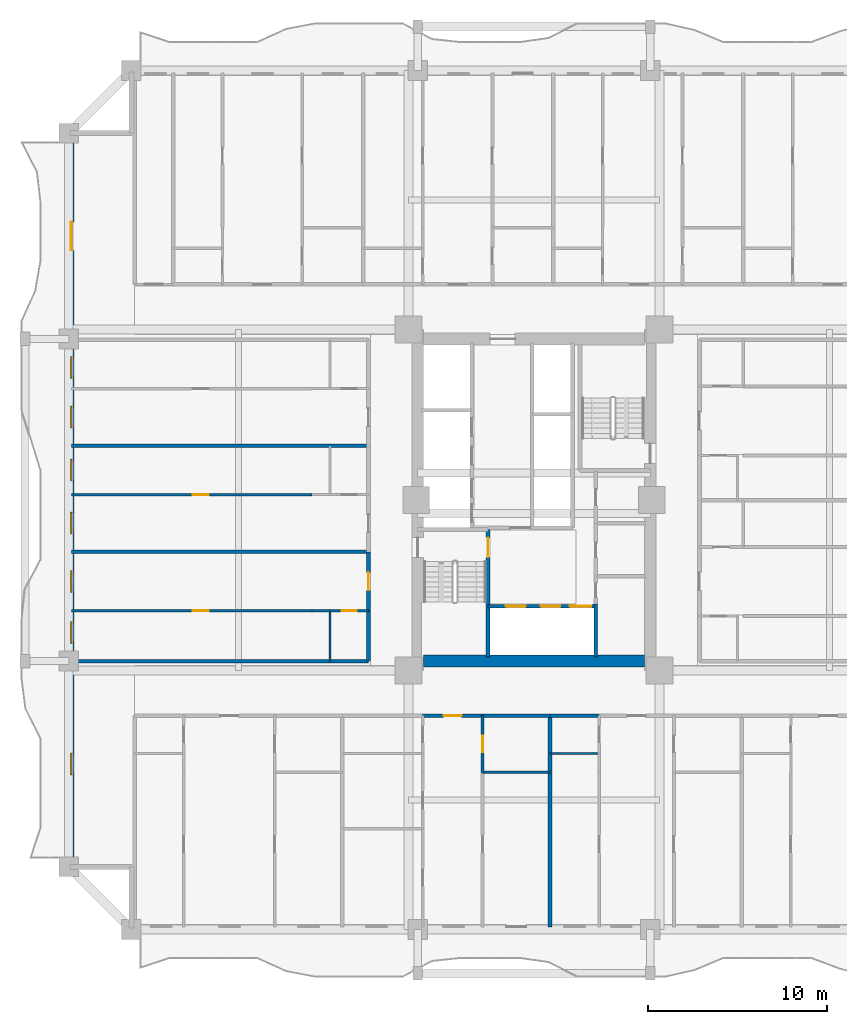
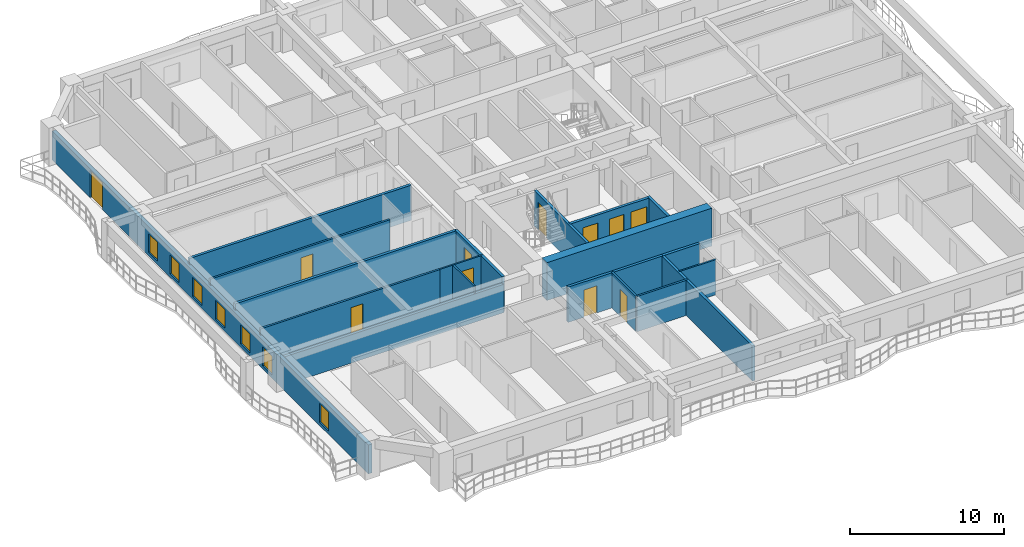
# One storey, part 3 of 16: 22 walls, 11 doors, 7 windows, 18 openings.
"""IFC4 building model written with IfcOpenShell, lengths in metres."""

from ifc_helpers import new_model, si_unit, direction, frame, frame_2d, origin, place, context, subcontext, project, spatial, rectangle, extrude, source, transform, mapped, material, layer, layer_set, type_object, element, fill, save


model = new_model("IFC4")

# Units and contexts
model_context = context("Model", 3, precision=1e-05, world=origin(), true_north=direction((0.0, 1.0)))
body_context = subcontext(model_context, "Body", "Model", "MODEL_VIEW")
ifc_project = project(units=[si_unit("LENGTHUNIT", "METRE"), si_unit("AREAUNIT", "SQUARE_METRE"), si_unit("VOLUMEUNIT", "CUBIC_METRE"), si_unit("PLANEANGLEUNIT", "RADIAN"), si_unit("MASSUNIT", "GRAM", prefix="KILO")], contexts=[model_context])

# Site, building, storey
site_placement = place(None, origin())
site = spatial("IfcSite", under=ifc_project, at=site_placement, CompositionType="ELEMENT")
building_placement = place(site_placement, origin())
building = spatial("IfcBuilding", under=site, at=building_placement, Name="Saelheon Loggia Tower", CompositionType="ELEMENT")
storey_placement = place(building_placement, frame((0.0, 0.0, 28.39990234375)))
storey = spatial("IfcBuildingStorey", under=building, at=storey_placement, Name="L08", CompositionType="ELEMENT", Elevation=28.39990234375)

# Wall
ifc_material_1 = material(Name="Concrete C60/75", Category="concrete")
ifc_layer_1 = layer(ifc_material_1, 0.64990234375)
ifc_layer_set_1 = layer_set([ifc_layer_1], Name="Concrete C60/75")
wall_type_1 = type_object("IfcWallType", Name="Wall_CoreShear_650", PredefinedType="SHEAR", material=ifc_layer_set_1)
wall_1_placement = place(storey_placement, frame((31.824951171875, 18.0, 0.0), z_axis=(0.0, 0.0, 1.0), x_axis=(1.0, 0.0, 0.0)))
element("IfcWall", 1, at=wall_1_placement, inside=storey, type_object=wall_type_1, Name="L08 Core Shear Wall South", PredefinedType="SHEAR", context=body_context, shape_type="SweptSolid", body=[
    extrude(rectangle(XDim=12.35009765625, YDim=0.64990234375, at=frame_2d((6.175048828125, 0.0))), origin(), (0.0, 0.0, 1.0), 3.0),
])

# Wall, openings, windows, door
ifc_material_2 = material(Name="Architectural Precast Concrete C40/50", Category="concrete")
ifc_layer_2 = layer(ifc_material_2, 0.280029296875)
ifc_layer_set_2 = layer_set([ifc_layer_2], Name="Architectural Precast Concrete C40/50")
wall_type_2 = type_object("IfcWallType", Name="Wall_Ext_Loggia_280", PredefinedType="SOLIDWALL", material=ifc_layer_set_2)
wall_2_placement = place(storey_placement, frame((12.139892578125, 6.5, 0.0), z_axis=(0.0, 0.0, 1.0), x_axis=(0.0, 1.0, 0.0)))
wall_2 = element("IfcWall", 2, at=wall_2_placement, inside=storey, type_object=wall_type_2, Name="L08 West Loggia Inner Wall", PredefinedType="SOLIDWALL", context=body_context, shape_type="SweptSolid", body=[
    extrude(rectangle(XDim=41.0, YDim=0.280029296875, at=frame_2d((20.5, 0.0))), origin(), (0.0, 0.0, 1.0), 2.280029296875),
])
opening_1_placement = place(wall_2_placement, frame((5.14990234375, 0.0, 0.25)))
opening_1 = element("IfcOpeningElement", 3, at=opening_1_placement, cuts=wall_2, Name="Opening WN-03", PredefinedType="OPENING", context=body_context, shape_type="SweptSolid", body=[
    extrude(rectangle(XDim=1.199951171875, YDim=1.5, at=frame_2d((0.60009765625, 0.75))), frame((0.0, 0.152099609375, 0.0), z_axis=(0.0, -1.0, 0.0), x_axis=(1.0, 0.0, 0.0)), (0.0, 0.0, 1.0), 0.303955078125),
])
opening_2_placement = place(wall_2_placement, frame((12.498779296875, 0.0, 0.25)))
opening_2 = element("IfcOpeningElement", 4, at=opening_2_placement, cuts=wall_2, Name="Opening WN-03", PredefinedType="OPENING", context=body_context, shape_type="SweptSolid", body=[
    extrude(rectangle(XDim=1.199951171875, YDim=1.5, at=frame_2d((0.60009765625, 0.75))), frame((0.0, 0.152099609375, 0.0), z_axis=(0.0, -1.0, 0.0), x_axis=(1.0, 0.0, 0.0)), (0.0, 0.0, 1.0), 0.303955078125),
])
opening_3_placement = place(wall_2_placement, frame((15.355224609375, 0.0, 0.25)))
opening_3 = element("IfcOpeningElement", 5, at=opening_3_placement, cuts=wall_2, Name="Opening WN-03", PredefinedType="OPENING", context=body_context, shape_type="SweptSolid", body=[
    extrude(rectangle(XDim=1.199951171875, YDim=1.5, at=frame_2d((0.60009765625, 0.75))), frame((0.0, 0.152099609375, 0.0), z_axis=(0.0, -1.0, 0.0), x_axis=(1.0, 0.0, 0.0)), (0.0, 0.0, 1.0), 0.303955078125),
])
opening_4_placement = place(wall_2_placement, frame((18.602294921875, 0.0, 0.25)))
opening_4 = element("IfcOpeningElement", 6, at=opening_4_placement, cuts=wall_2, Name="Opening WN-03", PredefinedType="OPENING", context=body_context, shape_type="SweptSolid", body=[
    extrude(rectangle(XDim=1.199951171875, YDim=1.5, at=frame_2d((0.60009765625, 0.75))), frame((0.0, 0.152099609375, 0.0), z_axis=(0.0, -1.0, 0.0), x_axis=(1.0, 0.0, 0.0)), (0.0, 0.0, 1.0), 0.303955078125),
])
opening_5_placement = place(wall_2_placement, frame((21.564208984375, 0.0, 0.25)))
opening_5 = element("IfcOpeningElement", 7, at=opening_5_placement, cuts=wall_2, Name="Opening WN-03", PredefinedType="OPENING", context=body_context, shape_type="SweptSolid", body=[
    extrude(rectangle(XDim=1.199951171875, YDim=1.5, at=frame_2d((0.60009765625, 0.75))), frame((0.0, 0.152099609375, 0.0), z_axis=(0.0, -1.0, 0.0), x_axis=(1.0, 0.0, 0.0)), (0.0, 0.0, 1.0), 0.303955078125),
])
opening_6_placement = place(wall_2_placement, frame((24.52587890625, 0.0, 0.25)))
opening_6 = element("IfcOpeningElement", 8, at=opening_6_placement, cuts=wall_2, Name="Opening WN-03", PredefinedType="OPENING", context=body_context, shape_type="SweptSolid", body=[
    extrude(rectangle(XDim=1.199951171875, YDim=1.5, at=frame_2d((0.60009765625, 0.75))), frame((0.0, 0.152099609375, 0.0), z_axis=(0.0, -1.0, 0.0), x_axis=(1.0, 0.0, 0.0)), (0.0, 0.0, 1.0), 0.303955078125),
])
opening_7_placement = place(wall_2_placement, frame((27.317626953125, 0.0, 0.25)))
opening_7 = element("IfcOpeningElement", 9, at=opening_7_placement, cuts=wall_2, Name="Opening WN-03", PredefinedType="OPENING", context=body_context, shape_type="SweptSolid", body=[
    extrude(rectangle(XDim=1.199951171875, YDim=1.5, at=frame_2d((0.60009765625, 0.75))), frame((0.0, 0.152099609375, 0.0), z_axis=(0.0, -1.0, 0.0), x_axis=(1.0, 0.0, 0.0)), (0.0, 0.0, 1.0), 0.303955078125),
])
opening_8_placement = place(wall_2_placement, frame((34.449951171875, 0.0, 0.0)))
opening_8 = element("IfcOpeningElement", 10, at=opening_8_placement, cuts=wall_2, Name="Opening DLG-1", PredefinedType="OPENING", context=body_context, shape_type="SweptSolid", body=[
    extrude(rectangle(XDim=1.60009765625, YDim=2.14990234375, at=frame_2d((0.800048828125, 1.074951171875))), frame((0.0, 0.152099609375, 0.0), z_axis=(0.0, -1.0, 0.0), x_axis=(1.0, 0.0, 0.0)), (0.0, 0.0, 1.0), 0.303955078125),
])
ifc_material_3 = material(Name="Thermal-Break Aluminium and Triple Low-E Glass", Category="aluminium")
window_type = type_object("IfcWindowType", Name="Win_Bedroom_1200x1500", PartitioningType="SINGLE_PANEL", PredefinedType="WINDOW", material=ifc_material_3)
shared_shape_1 = source(origin(), body_context, "Body", "SweptSolid", [
    extrude(rectangle(XDim=1.199951171875, YDim=1.5, at=frame_2d((0.60009765625, 0.75))), frame((0.0, 0.030029296875, 0.0), z_axis=(0.0, -1.0, 0.0), x_axis=(1.0, 0.0, 0.0)), (0.0, 0.0, 1.0), 0.06005859375),
])
window_1_placement = place(opening_1_placement, origin())
window_1 = element("IfcWindow", 11, at=window_1_placement, inside=storey, type_object=window_type, Name="L08 W Dwelling Window 1", OverallHeight=1.5, OverallWidth=1.199951171875, PartitioningType="SINGLE_PANEL", PredefinedType="WINDOW", context=body_context, shape_type="MappedRepresentation", body=[
    mapped(shared_shape_1, transform((0.0, 0.0, 0.0), scale=1.0)),
])
fill(opening_1, window_1)
window_2_placement = place(opening_2_placement, origin())
window_2 = element("IfcWindow", 12, at=window_2_placement, inside=storey, type_object=window_type, Name="L08 W Dwelling Window 2", OverallHeight=1.5, OverallWidth=1.199951171875, PartitioningType="SINGLE_PANEL", PredefinedType="WINDOW", context=body_context, shape_type="MappedRepresentation", body=[
    mapped(shared_shape_1, transform((0.0, 0.0, 0.0), scale=1.0)),
])
fill(opening_2, window_2)
window_3_placement = place(opening_3_placement, origin())
window_3 = element("IfcWindow", 13, at=window_3_placement, inside=storey, type_object=window_type, Name="L08 W Dwelling Window 3", OverallHeight=1.5, OverallWidth=1.199951171875, PartitioningType="SINGLE_PANEL", PredefinedType="WINDOW", context=body_context, shape_type="MappedRepresentation", body=[
    mapped(shared_shape_1, transform((0.0, 0.0, 0.0), scale=1.0)),
])
fill(opening_3, window_3)
window_4_placement = place(opening_4_placement, origin())
window_4 = element("IfcWindow", 14, at=window_4_placement, inside=storey, type_object=window_type, Name="L08 W Dwelling Window 4", OverallHeight=1.5, OverallWidth=1.199951171875, PartitioningType="SINGLE_PANEL", PredefinedType="WINDOW", context=body_context, shape_type="MappedRepresentation", body=[
    mapped(shared_shape_1, transform((0.0, 0.0, 0.0), scale=1.0)),
])
fill(opening_4, window_4)
window_5_placement = place(opening_5_placement, origin())
window_5 = element("IfcWindow", 15, at=window_5_placement, inside=storey, type_object=window_type, Name="L08 W Dwelling Window 5", OverallHeight=1.5, OverallWidth=1.199951171875, PartitioningType="SINGLE_PANEL", PredefinedType="WINDOW", context=body_context, shape_type="MappedRepresentation", body=[
    mapped(shared_shape_1, transform((0.0, 0.0, 0.0), scale=1.0)),
])
fill(opening_5, window_5)
window_6_placement = place(opening_6_placement, origin())
window_6 = element("IfcWindow", 16, at=window_6_placement, inside=storey, type_object=window_type, Name="L08 W Dwelling Window 6", OverallHeight=1.5, OverallWidth=1.199951171875, PartitioningType="SINGLE_PANEL", PredefinedType="WINDOW", context=body_context, shape_type="MappedRepresentation", body=[
    mapped(shared_shape_1, transform((0.0, 0.0, 0.0), scale=1.0)),
])
fill(opening_6, window_6)
window_7_placement = place(opening_7_placement, origin())
window_7 = element("IfcWindow", 17, at=window_7_placement, inside=storey, type_object=window_type, Name="L08 W Dwelling Window 7", OverallHeight=1.5, OverallWidth=1.199951171875, PartitioningType="SINGLE_PANEL", PredefinedType="WINDOW", context=body_context, shape_type="MappedRepresentation", body=[
    mapped(shared_shape_1, transform((0.0, 0.0, 0.0), scale=1.0)),
])
fill(opening_7, window_7)
ifc_material_4 = material(Name="Thermal-Break Aluminium Sliding Glazed Door", Category="aluminium")
door_type_1 = type_object("IfcDoorType", Name="Door_LoggiaSlide_1600", OperationType="SLIDING_TO_LEFT", PredefinedType="DOOR", material=ifc_material_4)
shared_shape_2 = source(origin(), body_context, "Body", "SweptSolid", [
    extrude(rectangle(XDim=1.60009765625, YDim=2.14990234375, at=frame_2d((0.800048828125, 1.074951171875))), frame((0.0, 0.02490234375, 0.0), z_axis=(0.0, -1.0, 0.0), x_axis=(1.0, 0.0, 0.0)), (0.0, 0.0, 1.0), 0.050048828125),
])
door_1_placement = place(opening_8_placement, origin())
door_1 = element("IfcDoor", 18, at=door_1_placement, inside=storey, type_object=door_type_1, Name="L08 W Loggia Access Door", OperationType="SLIDING_TO_LEFT", OverallHeight=2.14990234375, OverallWidth=1.60009765625, PredefinedType="DOOR", context=body_context, shape_type="MappedRepresentation", body=[
    mapped(shared_shape_2, transform((0.0, 0.0, 0.0), scale=1.0)),
])
fill(opening_8, door_1)

# Wall
ifc_material_5 = material(Name="Lightweight Autoclaved Aerated Concrete Block and Acoustic Gypsum", Category="concrete")
ifc_layer_3 = layer(ifc_material_5, 0.14990234375)
ifc_layer_set_3 = layer_set([ifc_layer_3], Name="Lightweight Autoclaved Aerated Concrete Block and Acoustic Gypsum")
wall_type_3 = type_object("IfcWallType", Name="Wall_Part_150", PredefinedType="PARTITIONING", material=ifc_layer_set_3)
wall_3_placement = place(storey_placement, frame((35.126953125, 11.780029296875, 0.0), z_axis=(0.0, 0.0, 1.0), x_axis=(1.0, 0.0, 0.0)))
element("IfcWall", 19, at=wall_3_placement, inside=storey, type_object=wall_type_3, Name="L08 S Partition V18", PredefinedType="PARTITIONING", context=body_context, shape_type="SweptSolid", body=[
    extrude(rectangle(XDim=3.765869140625, YDim=0.14990234375, at=frame_2d((1.8828125, 0.0))), origin(), (0.0, 0.0, 1.0), 2.7900390625),
])

# Wall, opening, door
wall_4_placement = place(storey_placement, frame((35.126953125, 14.949951171875, 0.0), z_axis=(0.0, 0.0, 1.0), x_axis=(0.0, -1.0, 0.0)))
wall_4 = element("IfcWall", 20, at=wall_4_placement, inside=storey, type_object=wall_type_3, Name="L08 S Partition U24", PredefinedType="PARTITIONING", context=body_context, shape_type="SweptSolid", body=[
    extrude(rectangle(XDim=3.169921875, YDim=0.14990234375, at=frame_2d((1.5849609375, 0.0))), origin(), (0.0, 0.0, 1.0), 2.7900390625),
])
opening_9_placement = place(wall_4_placement, frame((1.135009765625, 0.0, 0.0)))
opening_9 = element("IfcOpeningElement", 21, at=opening_9_placement, cuts=wall_4, Name="Opening D-IN2", PredefinedType="OPENING", context=body_context, shape_type="SweptSolid", body=[
    extrude(rectangle(XDim=0.89990234375, YDim=2.10009765625, at=frame_2d((0.449951171875, 1.050048828125))), frame((0.0, 0.0869140625, 0.0), z_axis=(0.0, -1.0, 0.0), x_axis=(1.0, 0.0, 0.0)), (0.0, 0.0, 1.0), 0.173828125),
])
ifc_material_6 = material(Name="Engineered Oak Flush Door", Category="timber")
door_type_2 = type_object("IfcDoorType", Name="Door_Int_900", OperationType="NOTDEFINED", PredefinedType="DOOR", material=ifc_material_6)
shared_shape_3 = source(origin(), body_context, "Body", "SweptSolid", [
    extrude(rectangle(XDim=0.89990234375, YDim=2.10009765625, at=frame_2d((0.449951171875, 1.050048828125))), frame((0.0, 0.02490234375, 0.0), z_axis=(0.0, -1.0, 0.0), x_axis=(1.0, 0.0, 0.0)), (0.0, 0.0, 1.0), 0.050048828125),
])
door_2_placement = place(opening_9_placement, origin())
door_2 = element("IfcDoor", 22, at=door_2_placement, inside=storey, type_object=door_type_2, Name="Unit U02 Home Office Door", OperationType="SINGLE_SWING_RIGHT", OverallHeight=2.10009765625, OverallWidth=0.89990234375, PredefinedType="DOOR", context=body_context, shape_type="MappedRepresentation", body=[
    mapped(shared_shape_3, transform((0.0, 0.0, 0.0), scale=1.0)),
])
fill(opening_9, door_2)

wall_5_placement = place(storey_placement, frame((25.580078125, 20.807373046875, 0.0), z_axis=(0.0, 0.0, 1.0), x_axis=(-1.0, 0.0, 0.0)))
wall_5 = element("IfcWall", 23, at=wall_5_placement, inside=storey, type_object=wall_type_3, Name="L08 W Partition U08", PredefinedType="PARTITIONING", context=body_context, shape_type="SweptSolid", body=[
    extrude(rectangle(XDim=13.43017578125, YDim=0.14990234375, at=frame_2d((6.715087890625, 0.0))), origin(), (0.0, 0.0, 1.0), 2.7900390625),
])
opening_10_placement = place(wall_5_placement, frame((5.762939453125, 0.0, 0.0)))
opening_10 = element("IfcOpeningElement", 24, at=opening_10_placement, cuts=wall_5, Name="Opening D-IN2", PredefinedType="OPENING", context=body_context, shape_type="SweptSolid", body=[
    extrude(rectangle(XDim=0.89990234375, YDim=2.10009765625, at=frame_2d((0.449951171875, 1.050048828125))), frame((0.0, 0.0869140625, 0.0), z_axis=(0.0, -1.0, 0.0), x_axis=(1.0, 0.0, 0.0)), (0.0, 0.0, 1.0), 0.173828125),
])
door_3_placement = place(opening_10_placement, origin())
door_3 = element("IfcDoor", 25, at=door_3_placement, inside=storey, type_object=door_type_2, Name="Unit U09 Kitchen Door", OperationType="SINGLE_SWING_LEFT", OverallHeight=2.10009765625, OverallWidth=0.89990234375, PredefinedType="DOOR", context=body_context, shape_type="MappedRepresentation", body=[
    mapped(shared_shape_3, transform((0.0, 0.0, 0.0), scale=1.0)),
])
fill(opening_10, door_3)

wall_6_placement = place(storey_placement, frame((25.580078125, 27.3017578125, 0.0), z_axis=(0.0, 0.0, 1.0), x_axis=(-1.0, 0.0, 0.0)))
wall_6 = element("IfcWall", 26, at=wall_6_placement, inside=storey, type_object=wall_type_3, Name="L08 W Partition U15", PredefinedType="PARTITIONING", context=body_context, shape_type="SweptSolid", body=[
    extrude(rectangle(XDim=13.43017578125, YDim=0.14990234375, at=frame_2d((6.715087890625, 0.0))), origin(), (0.0, 0.0, 1.0), 2.7900390625),
])
opening_11_placement = place(wall_6_placement, frame((5.762939453125, 0.0, 0.0)))
opening_11 = element("IfcOpeningElement", 27, at=opening_11_placement, cuts=wall_6, Name="Opening D-IN2", PredefinedType="OPENING", context=body_context, shape_type="SweptSolid", body=[
    extrude(rectangle(XDim=0.89990234375, YDim=2.10009765625, at=frame_2d((0.449951171875, 1.050048828125))), frame((0.0, 0.0869140625, 0.0), z_axis=(0.0, -1.0, 0.0), x_axis=(1.0, 0.0, 0.0)), (0.0, 0.0, 1.0), 0.173828125),
])
door_4_placement = place(opening_11_placement, origin())
door_4 = element("IfcDoor", 28, at=door_4_placement, inside=storey, type_object=door_type_2, Name="Unit U10 Kitchen Door", OperationType="SINGLE_SWING_RIGHT", OverallHeight=2.10009765625, OverallWidth=0.89990234375, PredefinedType="DOOR", context=body_context, shape_type="MappedRepresentation", body=[
    mapped(shared_shape_3, transform((0.0, 0.0, 0.0), scale=1.0)),
])
fill(opening_11, door_4)

ifc_material_7 = material(Name="Double Acoustic Stud and Fireboard Partition", Category="gypsum")
ifc_layer_4 = layer(ifc_material_7, 0.199951171875)
ifc_layer_set_4 = layer_set([ifc_layer_4], Name="Double Acoustic Stud and Fireboard Partition")
wall_type_4 = type_object("IfcWallType", Name="Wall_Party_200", PredefinedType="PARTITIONING", material=ifc_layer_set_4)
wall_7_placement = place(storey_placement, frame((31.780029296875, 14.949951171875, 0.0), z_axis=(0.0, 0.0, 1.0), x_axis=(1.0, 0.0, 0.0)))
wall_7 = element("IfcWall", 29, at=wall_7_placement, inside=storey, type_object=wall_type_4, Name="L08 S Partition V15", PredefinedType="PARTITIONING", context=body_context, shape_type="SweptSolid", body=[
    extrude(rectangle(XDim=3.346923828125, YDim=0.199951171875, at=frame_2d((1.67333984375, 0.0))), origin(), (0.0, 0.0, 1.0), 2.7900390625),
])
opening_12_placement = place(wall_7_placement, frame((1.17333984375, 0.0, 0.0)))
opening_12 = element("IfcOpeningElement", 30, at=opening_12_placement, cuts=wall_7, Name="Opening D-FD1", PredefinedType="OPENING", context=body_context, shape_type="SweptSolid", body=[
    extrude(rectangle(XDim=1.0, YDim=2.14990234375, at=frame_2d((0.5, 1.074951171875))), frame((0.0, 0.112060546875, 0.0), z_axis=(0.0, -1.0, 0.0), x_axis=(1.0, 0.0, 0.0)), (0.0, 0.0, 1.0), 0.223876953125),
])
ifc_material_8 = material(Name="Fire-Rated Engineered Timber Entrance Door", Category="wood")
door_type_3 = type_object("IfcDoorType", Name="Door_Flat_FD30S", OperationType="NOTDEFINED", PredefinedType="DOOR", material=ifc_material_8)
shared_shape_4 = source(origin(), body_context, "Body", "SweptSolid", [
    extrude(rectangle(XDim=1.0, YDim=2.14990234375, at=frame_2d((0.5, 1.074951171875))), frame((0.0, 0.02490234375, 0.0), z_axis=(0.0, -1.0, 0.0), x_axis=(1.0, 0.0, 0.0)), (0.0, 0.0, 1.0), 0.050048828125),
])
door_5_placement = place(opening_12_placement, origin())
door_5 = element("IfcDoor", 31, at=door_5_placement, inside=storey, type_object=door_type_3, Name="Unit U02 Entrance Door", OperationType="SINGLE_SWING_RIGHT", OverallHeight=2.14990234375, OverallWidth=1.0, PredefinedType="DOOR", context=body_context, shape_type="MappedRepresentation", body=[
    mapped(shared_shape_4, transform((0.0, 0.0, 0.0), scale=1.0)),
])
fill(opening_12, door_5)

# Walls
wall_8_placement = place(storey_placement, frame((35.126953125, 14.949951171875, 0.0), z_axis=(0.0, 0.0, 1.0), x_axis=(1.0, 0.0, 0.0)))
element("IfcWall", 32, at=wall_8_placement, inside=storey, type_object=wall_type_4, Name="L08 S Partition V16", PredefinedType="PARTITIONING", context=body_context, shape_type="SweptSolid", body=[
    extrude(rectangle(XDim=3.765869140625, YDim=0.199951171875, at=frame_2d((1.8828125, 0.0))), origin(), (0.0, 0.0, 1.0), 2.7900390625),
])
wall_9_placement = place(storey_placement, frame((38.892822265625, 14.949951171875, 0.0), z_axis=(0.0, 0.0, 1.0), x_axis=(0.0, -1.0, 0.0)))
element("IfcWall", 33, at=wall_9_placement, inside=storey, type_object=wall_type_4, Name="L08 S Partition U26", PredefinedType="PARTITIONING", context=body_context, shape_type="SweptSolid", body=[
    extrude(rectangle(XDim=11.800048828125, YDim=0.199951171875, at=frame_2d((5.89990234375, 0.0))), origin(), (0.0, 0.0, 1.0), 2.7900390625),
])
wall_10_placement = place(storey_placement, frame((38.892822265625, 14.949951171875, 0.0), z_axis=(0.0, 0.0, 1.0), x_axis=(1.0, 0.0, 0.0)))
element("IfcWall", 34, at=wall_10_placement, inside=storey, type_object=wall_type_4, Name="L08 S Partition V27", PredefinedType="PARTITIONING", context=body_context, shape_type="SweptSolid", body=[
    extrude(rectangle(XDim=2.75, YDim=0.199951171875, at=frame_2d((1.375, 0.0))), origin(), (0.0, 0.0, 1.0), 2.7900390625),
])
wall_11_placement = place(storey_placement, frame((28.75, 18.0, 0.0), z_axis=(0.0, 0.0, 1.0), x_axis=(-1.0, 0.0, 0.0)))
element("IfcWall", 35, at=wall_11_placement, inside=storey, type_object=wall_type_4, Name="L08 W Partition U01", PredefinedType="PARTITIONING", context=body_context, shape_type="SweptSolid", body=[
    extrude(rectangle(XDim=16.60009765625, YDim=0.199951171875, at=frame_2d((8.300048828125, 0.0))), origin(), (0.0, 0.0, 1.0), 2.239990234375),
])
wall_12_placement = place(storey_placement, frame((28.75, 18.0, 0.0), z_axis=(0.0, 0.0, 1.0), x_axis=(0.0, 1.0, 0.0)))
element("IfcWall", 36, at=wall_12_placement, inside=storey, type_object=wall_type_4, Name="L08 W Partition V03", PredefinedType="PARTITIONING", context=body_context, shape_type="SweptSolid", body=[
    extrude(rectangle(XDim=2.807373046875, YDim=0.199951171875, at=frame_2d((1.40380859375, 0.0))), origin(), (0.0, 0.0, 1.0), 2.7900390625),
])

# Wall, opening, door
wall_13_placement = place(storey_placement, frame((28.75, 20.807373046875, 0.0), z_axis=(0.0, 0.0, 1.0), x_axis=(0.0, 1.0, 0.0)))
wall_13 = element("IfcWall", 37, at=wall_13_placement, inside=storey, type_object=wall_type_4, Name="L08 W Partition V04", PredefinedType="PARTITIONING", context=body_context, shape_type="SweptSolid", body=[
    extrude(rectangle(XDim=3.295654296875, YDim=0.199951171875, at=frame_2d((1.64794921875, 0.0))), origin(), (0.0, 0.0, 1.0), 2.7900390625),
])
opening_13_placement = place(wall_13_placement, frame((1.147705078125, 0.0, 0.0)))
opening_13 = element("IfcOpeningElement", 38, at=opening_13_placement, cuts=wall_13, Name="Opening D-FD1", PredefinedType="OPENING", context=body_context, shape_type="SweptSolid", body=[
    extrude(rectangle(XDim=1.0, YDim=2.14990234375, at=frame_2d((0.5, 1.074951171875))), frame((0.0, 0.112060546875, 0.0), z_axis=(0.0, -1.0, 0.0), x_axis=(1.0, 0.0, 0.0)), (0.0, 0.0, 1.0), 0.223876953125),
])
door_6_placement = place(opening_13_placement, origin())
door_6 = element("IfcDoor", 39, at=door_6_placement, inside=storey, type_object=door_type_3, Name="Unit U09 Entrance Door", OperationType="SINGLE_SWING_LEFT", OverallHeight=2.14990234375, OverallWidth=1.0, PredefinedType="DOOR", context=body_context, shape_type="MappedRepresentation", body=[
    mapped(shared_shape_4, transform((0.0, 0.0, 0.0), scale=1.0)),
])
fill(opening_13, door_6)

# Walls
for number, where, z_axis, x_axis, name in (
    (40, (28.75, 24.10302734375, 0.0), (0.0, 0.0, 1.0), (-1.0, 0.0, 0.0), "L08 W Partition U09"),
    (41, (28.75, 30.026611328125, 0.0), (0.0, 0.0, 1.0), (-1.0, 0.0, 0.0), "L08 W Partition U16"),
):
    element("IfcWall", number, at=place(storey_placement, frame(where, z_axis=z_axis, x_axis=x_axis)), inside=storey, type_object=wall_type_4, Name=name, PredefinedType="PARTITIONING", context=body_context, shape_type="SweptSolid", body=[
        extrude(rectangle(XDim=16.60009765625, YDim=0.199951171875, at=frame_2d((8.300048828125, 0.0))), origin(), (0.0, 0.0, 1.0), 2.7900390625),
    ])
ifc_material_9 = material(Name="Concrete C40/50", Category="concrete")
ifc_layer_5 = layer(ifc_material_9, 0.199951171875)
ifc_layer_set_5 = layer_set([ifc_layer_5], Name="Concrete C40/50")
wall_type_5 = type_object("IfcWallType", Name="Wall_Shaft_200", PredefinedType="PARTITIONING", material=ifc_layer_set_5)
wall_14_placement = place(storey_placement, frame((41.449951171875, 18.219970703125, 0.0), z_axis=(0.0, 0.0, 1.0), x_axis=(0.0, 1.0, 0.0)))
element("IfcWall", 42, at=wall_14_placement, inside=storey, type_object=wall_type_5, Name="CW-INT-L08-BOH-W0", PredefinedType="PARTITIONING", context=body_context, shape_type="SweptSolid", body=[
    extrude(rectangle(XDim=2.9599609375, YDim=0.199951171875, at=frame_2d((1.47998046875, 0.0))), origin(), (0.0, 0.0, 1.0), 2.7900390625),
])

# Wall, openings, doors
wall_15_placement = place(storey_placement, frame((35.429931640625, 21.06005859375, 0.0), z_axis=(0.0, 0.0, 1.0), x_axis=(1.0, 0.0, 0.0)))
wall_15 = element("IfcWall", 43, at=wall_15_placement, inside=storey, type_object=wall_type_5, Name="L08 Firefighting Lift Shaft Front Wall", PredefinedType="PARTITIONING", context=body_context, shape_type="SweptSolid", body=[
    extrude(rectangle(XDim=6.02001953125, YDim=0.199951171875, at=frame_2d((3.010009765625, 0.0))), origin(), (0.0, 0.0, 1.0), 2.7900390625),
])
opening_14_placement = place(wall_15_placement, frame((1.0, 0.0, 0.0)))
opening_14 = element("IfcOpeningElement", 44, at=opening_14_placement, cuts=wall_15, Name="Opening LD2", PredefinedType="OPENING", context=body_context, shape_type="SweptSolid", body=[
    extrude(rectangle(XDim=1.10009765625, YDim=2.14990234375, at=frame_2d((0.550048828125, 1.074951171875))), frame((0.0, 0.112060546875, 0.0), z_axis=(0.0, -1.0, 0.0), x_axis=(1.0, 0.0, 0.0)), (0.0, 0.0, 1.0), 0.223876953125),
])
opening_15_placement = place(wall_15_placement, frame((2.949951171875, 0.0, 0.0)))
opening_15 = element("IfcOpeningElement", 45, at=opening_15_placement, cuts=wall_15, Name="Opening LD2", PredefinedType="OPENING", context=body_context, shape_type="SweptSolid", body=[
    extrude(rectangle(XDim=1.10009765625, YDim=2.14990234375, at=frame_2d((0.550048828125, 1.074951171875))), frame((0.0, 0.112060546875, 0.0), z_axis=(0.0, -1.0, 0.0), x_axis=(1.0, 0.0, 0.0)), (0.0, 0.0, 1.0), 0.223876953125),
])
opening_16_placement = place(wall_15_placement, frame((4.580078125, 0.0, 0.0)))
opening_16 = element("IfcOpeningElement", 46, at=opening_16_placement, cuts=wall_15, Name="Opening LD3", PredefinedType="OPENING", context=body_context, shape_type="SweptSolid", body=[
    extrude(rectangle(XDim=1.199951171875, YDim=2.14990234375, at=frame_2d((0.60009765625, 1.074951171875))), frame((0.0, 0.112060546875, 0.0), z_axis=(0.0, -1.0, 0.0), x_axis=(1.0, 0.0, 0.0)), (0.0, 0.0, 1.0), 0.223876953125),
])
ifc_material_10 = material(Name="Firefighting Stainless Steel 316 Landing Door", Category="steel")
door_type_4 = type_object("IfcDoorType", Name="Door_Lift_LD2", OperationType="DOUBLE_DOOR_SLIDING", PredefinedType="DOOR", material=ifc_material_10)
shared_shape_5 = source(origin(), body_context, "Body", "SweptSolid", [
    extrude(rectangle(XDim=1.10009765625, YDim=2.14990234375, at=frame_2d((0.550048828125, 1.074951171875))), frame((0.0, 0.02490234375, 0.0), z_axis=(0.0, -1.0, 0.0), x_axis=(1.0, 0.0, 0.0)), (0.0, 0.0, 1.0), 0.050048828125),
])
door_7_placement = place(opening_14_placement, origin())
door_7 = element("IfcDoor", 47, at=door_7_placement, inside=storey, type_object=door_type_4, Name="L08 FF1 Landing Door", OperationType="DOUBLE_DOOR_SLIDING", OverallHeight=2.14990234375, OverallWidth=1.10009765625, PredefinedType="DOOR", context=body_context, shape_type="MappedRepresentation", body=[
    mapped(shared_shape_5, transform((0.0, 0.0, 0.0), scale=1.0)),
])
fill(opening_14, door_7)
door_8_placement = place(opening_15_placement, origin())
door_8 = element("IfcDoor", 48, at=door_8_placement, inside=storey, type_object=door_type_4, Name="L08 FF2 Landing Door", OperationType="DOUBLE_DOOR_SLIDING", OverallHeight=2.14990234375, OverallWidth=1.10009765625, PredefinedType="DOOR", context=body_context, shape_type="MappedRepresentation", body=[
    mapped(shared_shape_5, transform((0.0, 0.0, 0.0), scale=1.0)),
])
fill(opening_15, door_8)
ifc_material_11 = material(Name="Stretcher Lift Stainless Steel 304 Landing Door", Category="steel")
door_type_5 = type_object("IfcDoorType", Name="Door_Lift_LD3", OperationType="DOUBLE_DOOR_SLIDING", PredefinedType="DOOR", material=ifc_material_11)
shared_shape_6 = source(origin(), body_context, "Body", "SweptSolid", [
    extrude(rectangle(XDim=1.199951171875, YDim=2.14990234375, at=frame_2d((0.60009765625, 1.074951171875))), frame((0.0, 0.02490234375, 0.0), z_axis=(0.0, -1.0, 0.0), x_axis=(1.0, 0.0, 0.0)), (0.0, 0.0, 1.0), 0.050048828125),
])
door_9_placement = place(opening_16_placement, origin())
door_9 = element("IfcDoor", 49, at=door_9_placement, inside=storey, type_object=door_type_5, Name="L08 SV1 Landing Door", OperationType="DOUBLE_DOOR_SLIDING", OverallHeight=2.14990234375, OverallWidth=1.199951171875, PredefinedType="DOOR", context=body_context, shape_type="MappedRepresentation", body=[
    mapped(shared_shape_6, transform((0.0, 0.0, 0.0), scale=1.0)),
])
fill(opening_16, door_9)

# Wall, opening, door
ifc_material_12 = material(Name="Concrete C45/55", Category="concrete")
ifc_layer_6 = layer(ifc_material_12, 0.199951171875)
ifc_layer_set_6 = layer_set([ifc_layer_6], Name="Concrete C45/55")
wall_type_6 = type_object("IfcWallType", Name="Wall_StairShaft_RC200", PredefinedType="SOLIDWALL", material=ifc_layer_set_6)
wall_16_placement = place(storey_placement, frame((35.429931640625, 18.219970703125, 0.0), z_axis=(0.0, 0.0, 1.0), x_axis=(0.0, 1.0, 0.0)))
wall_16 = element("IfcWall", 50, at=wall_16_placement, inside=storey, type_object=wall_type_6, Name="L08 Stair ST1 Shaft Wall", PredefinedType="SOLIDWALL", context=body_context, shape_type="SweptSolid", body=[
    extrude(rectangle(XDim=7.219970703125, YDim=0.199951171875, at=frame_2d((3.60986328125, 0.0))), origin(), (0.0, 0.0, 1.0), 2.7900390625),
])
opening_17_placement = place(wall_16_placement, frame((6.68017578125, 0.0, 0.0), z_axis=(0.0, 0.0, 1.0), x_axis=(-1.0, 0.0, 0.0)))
opening_17 = element("IfcOpeningElement", 51, at=opening_17_placement, cuts=wall_16, Name="Opening D-FD2", PredefinedType="OPENING", context=body_context, shape_type="SweptSolid", body=[
    extrude(rectangle(XDim=1.10009765625, YDim=2.14990234375, at=frame_2d((0.550048828125, 1.074951171875))), frame((0.0, 0.112060546875, 0.0), z_axis=(0.0, -1.0, 0.0), x_axis=(1.0, 0.0, 0.0)), (0.0, 0.0, 1.0), 0.223876953125),
])
ifc_material_13 = material(Name="Galvanised Steel Fire Door", Category="steel")
door_type_6 = type_object("IfcDoorType", Name="Door_Fire_FD60_1100", OperationType="NOTDEFINED", PredefinedType="DOOR", material=ifc_material_13)
door_10_placement = place(opening_17_placement, origin())
door_10 = element("IfcDoor", 52, at=door_10_placement, inside=storey, type_object=door_type_6, Name="L08 Stair ST1 Lobby Door", OperationType="SINGLE_SWING_RIGHT", OverallHeight=2.14990234375, OverallWidth=1.10009765625, PredefinedType="DOOR", context=body_context, shape_type="MappedRepresentation", body=[
    mapped(shared_shape_5, transform((0.0, 0.0, 0.0), scale=1.0)),
])
fill(opening_17, door_10)

# Wall
ifc_material_14 = material(Name="Moisture-Resistant Cement Board Partition", Category="gypsum")
ifc_layer_7 = layer(ifc_material_14, 0.1201171875)
ifc_layer_set_7 = layer_set([ifc_layer_7], Name="Moisture-Resistant Cement Board Partition")
wall_type_7 = type_object("IfcWallType", Name="Wall_WetPart_120", PredefinedType="PARTITIONING", material=ifc_layer_set_7)
wall_17_placement = place(storey_placement, frame((38.892822265625, 12.830078125, 0.0), z_axis=(0.0, 0.0, 1.0), x_axis=(1.0, 0.0, 0.0)))
element("IfcWall", 53, at=wall_17_placement, inside=storey, type_object=wall_type_7, Name="L08 S Partition V30", PredefinedType="PARTITIONING", context=body_context, shape_type="SweptSolid", body=[
    extrude(rectangle(XDim=2.75, YDim=0.1201171875, at=frame_2d((1.375, 0.0))), origin(), (0.0, 0.0, 1.0), 2.7900390625),
])

# Wall, opening, door
wall_18_placement = place(storey_placement, frame((28.75, 20.807373046875, 0.0), z_axis=(0.0, 0.0, 1.0), x_axis=(-1.0, 0.0, 0.0)))
wall_18 = element("IfcWall", 54, at=wall_18_placement, inside=storey, type_object=wall_type_7, Name="L08 W Partition U05", PredefinedType="PARTITIONING", context=body_context, shape_type="SweptSolid", body=[
    extrude(rectangle(XDim=2.14990234375, YDim=0.1201171875, at=frame_2d((1.074951171875, 0.0))), origin(), (0.0, 0.0, 1.0), 2.7900390625),
])
opening_18_placement = place(wall_18_placement, frame((0.64990234375, 0.0, 0.0)))
opening_18 = element("IfcOpeningElement", 55, at=opening_18_placement, cuts=wall_18, Name="Opening D-BT1", PredefinedType="OPENING", context=body_context, shape_type="SweptSolid", body=[
    extrude(rectangle(XDim=0.85009765625, YDim=2.050048828125, at=frame_2d((0.425048828125, 1.02490234375))), frame((0.0, 0.072021484375, 0.0), z_axis=(0.0, -1.0, 0.0), x_axis=(1.0, 0.0, 0.0)), (0.0, 0.0, 1.0), 0.14404296875),
])
ifc_material_15 = material(Name="Moisture-Resistant Laminate Timber Door", Category="wood")
door_type_7 = type_object("IfcDoorType", Name="Door_Bath_850", OperationType="NOTDEFINED", PredefinedType="DOOR", material=ifc_material_15)
shared_shape_7 = source(origin(), body_context, "Body", "SweptSolid", [
    extrude(rectangle(XDim=0.85009765625, YDim=2.050048828125, at=frame_2d((0.425048828125, 1.02490234375))), frame((0.0, 0.02490234375, 0.0), z_axis=(0.0, -1.0, 0.0), x_axis=(1.0, 0.0, 0.0)), (0.0, 0.0, 1.0), 0.050048828125),
])
door_11_placement = place(opening_18_placement, origin())
door_11 = element("IfcDoor", 56, at=door_11_placement, inside=storey, type_object=door_type_7, Name="Unit U09 Bathroom Door", OperationType="SINGLE_SWING_RIGHT", OverallHeight=2.050048828125, OverallWidth=0.85009765625, PredefinedType="DOOR", context=body_context, shape_type="MappedRepresentation", body=[
    mapped(shared_shape_7, transform((0.0, 0.0, 0.0), scale=1.0)),
])
fill(opening_18, door_11)

# Walls
wall_19_placement = place(storey_placement, frame((26.60009765625, 20.807373046875, 0.0), z_axis=(0.0, 0.0, 1.0), x_axis=(-1.0, 0.0, 0.0)))
element("IfcWall", 57, at=wall_19_placement, inside=storey, type_object=wall_type_7, Name="L08 W Partition U06", PredefinedType="PARTITIONING", context=body_context, shape_type="SweptSolid", body=[
    extrude(rectangle(XDim=1.02001953125, YDim=0.1201171875, at=frame_2d((0.510009765625, 0.0))), origin(), (0.0, 0.0, 1.0), 2.7900390625),
])
wall_20_placement = place(storey_placement, frame((26.60009765625, 18.0, 0.0), z_axis=(0.0, 0.0, 1.0), x_axis=(0.0, 1.0, 0.0)))
element("IfcWall", 58, at=wall_20_placement, inside=storey, type_object=wall_type_7, Name="L08 W Partition V07", PredefinedType="PARTITIONING", context=body_context, shape_type="SweptSolid", body=[
    extrude(rectangle(XDim=2.807373046875, YDim=0.1201171875, at=frame_2d((1.40380859375, 0.0))), origin(), (0.0, 0.0, 1.0), 2.7900390625),
])

save(model, "model.ifc")
